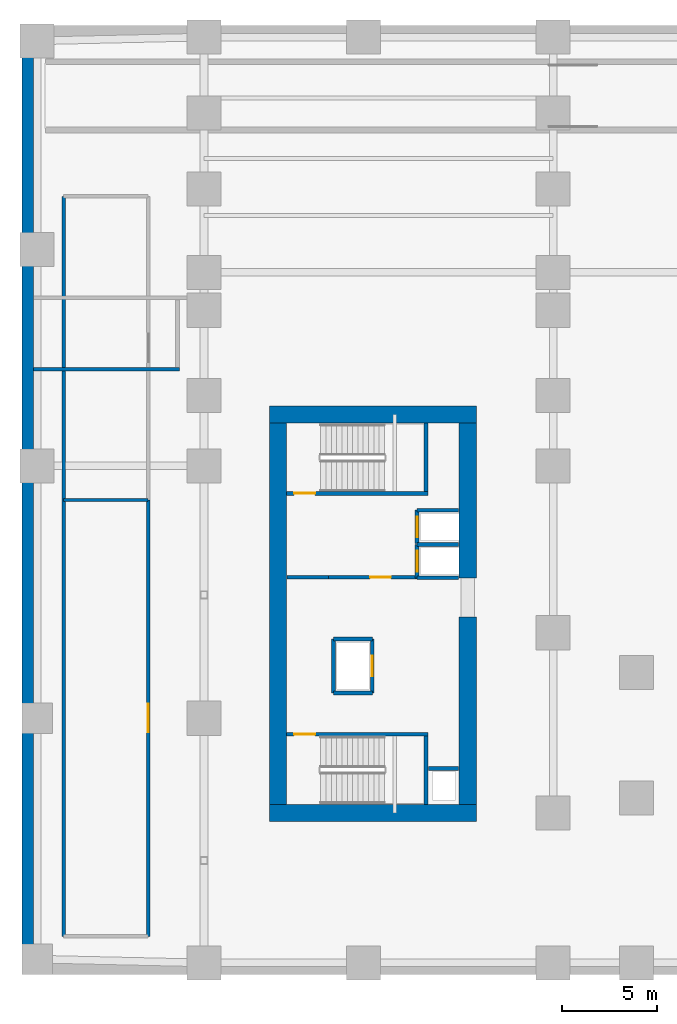
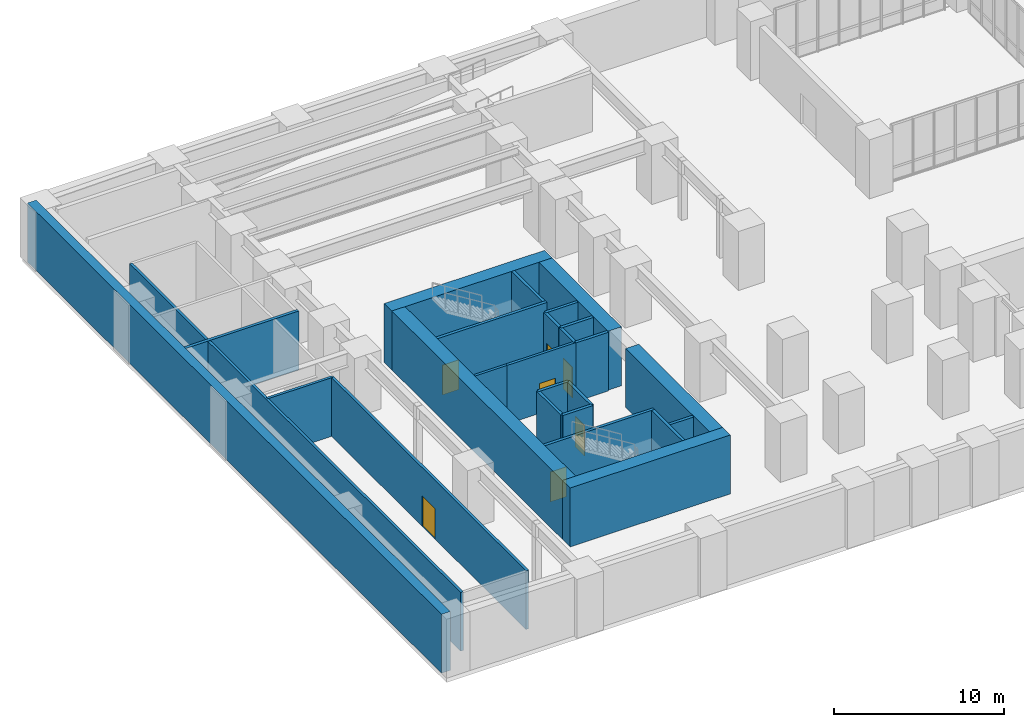
# One storey, part 13 of 18: 26 walls, 7 doors, 7 openings.
"""IFC4 building model written with IfcOpenShell, lengths in metres."""

from ifc_helpers import new_model, si_unit, direction, frame, frame_2d, origin, place, context, subcontext, project, spatial, rectangle, extrude, source, transform, mapped, material, layer, layer_set, type_object, element, fill, save


model = new_model("IFC4")

# Units and contexts
model_context = context("Model", 3, precision=1e-05, world=origin(), true_north=direction((0.0, 1.0)))
body_context = subcontext(model_context, "Body", "Model", "MODEL_VIEW")
ifc_project = project(units=[si_unit("LENGTHUNIT", "METRE"), si_unit("AREAUNIT", "SQUARE_METRE"), si_unit("VOLUMEUNIT", "CUBIC_METRE"), si_unit("PLANEANGLEUNIT", "RADIAN"), si_unit("MASSUNIT", "GRAM", prefix="KILO")], contexts=[model_context])

# Site, building, storey
site_placement = place(None, origin())
site = spatial("IfcSite", under=ifc_project, at=site_placement, CompositionType="ELEMENT")
building_placement = place(site_placement, origin())
building = spatial("IfcBuilding", under=site, at=building_placement, Name="Kharzan Plaza Tower", CompositionType="ELEMENT")
storey_placement = place(building_placement, frame((0.0, 0.0, -4.5)))
storey = spatial("IfcBuildingStorey", under=building, at=storey_placement, Name="B01", CompositionType="ELEMENT", Elevation=-4.5)

# Wall, opening, door
ifc_material_1 = material(Name="Concrete C40/50", Category="concrete")
ifc_layer_1 = layer(ifc_material_1, 0.179931640625)
ifc_layer_set_1 = layer_set([ifc_layer_1], Name="Concrete C40/50")
wall_type_1 = type_object("IfcWallType", Name="WL-INT-FIRE-180", PredefinedType="PARTITIONING", material=ifc_layer_set_1)
wall_1_placement = place(storey_placement, frame((-2.35009765625, 2.0, 0.0), z_axis=(0.0, 0.0, 1.0), x_axis=(0.0, 1.0, 0.0)))
wall_1 = element("IfcWall", 1, at=wall_1_placement, inside=storey, type_object=wall_type_1, Name="B01 Interior Partition B01-PW1", PredefinedType="PARTITIONING", context=body_context, shape_type="SweptSolid", body=[
    extrude(rectangle(XDim=23.0, YDim=0.179931640625, at=frame_2d((11.5, 0.0))), origin(), (0.0, 0.0, 1.0), 4.22509765625),
])
opening_1_placement = place(wall_1_placement, frame((10.75, 0.0, 0.0)))
opening_1 = element("IfcOpeningElement", 2, at=opening_1_placement, cuts=wall_1, Name="Opening PD1", PredefinedType="OPENING", context=body_context, shape_type="SweptSolid", body=[
    extrude(rectangle(XDim=1.5, YDim=2.199951171875, at=frame_2d((0.75, 1.10009765625))), frame((0.0, 0.099853515625, 0.0), z_axis=(0.0, -1.0, 0.0), x_axis=(1.0, 0.0, 0.0)), (0.0, 0.0, 1.0), 0.199951171875),
])
ifc_material_2 = material(Name="Galvanized Louvred Acoustic Steel", Category="steel")
door_type_1 = type_object("IfcDoorType", Name="DR-PLANT-DBL", OperationType="DOUBLE_DOOR_SINGLE_SWING", PredefinedType="DOOR", material=ifc_material_2)
shared_shape_1 = source(origin(), body_context, "Body", "SweptSolid", [
    extrude(rectangle(XDim=1.5, YDim=2.199951171875, at=frame_2d((0.75, 1.10009765625))), frame((0.0, 0.02490234375, 0.0), z_axis=(0.0, -1.0, 0.0), x_axis=(1.0, 0.0, 0.0)), (0.0, 0.0, 1.0), 0.050048828125),
])
door_1_placement = place(opening_1_placement, origin())
door_1 = element("IfcDoor", 3, at=door_1_placement, inside=storey, type_object=door_type_1, Name="B01 Loading Dock Corridor Door", OperationType="DOUBLE_DOOR_SINGLE_SWING", OverallHeight=2.199951171875, OverallWidth=1.5, PredefinedType="DOOR", context=body_context, shape_type="MappedRepresentation", body=[
    mapped(shared_shape_1, transform((0.0, 0.0, 0.0), x_axis=(1.0, 0.0, 0.0), y_axis=(0.0, 1.0, 0.0), z_axis=(0.0, 0.0, 1.0))),
])
fill(opening_1, door_1)

wall_2_placement = place(storey_placement, frame((7.14990234375, 20.919921875, 0.0), z_axis=(0.0, 0.0, 1.0), x_axis=(1.0, 0.0, 0.0)))
wall_2 = element("IfcWall", 4, at=wall_2_placement, inside=storey, type_object=wall_type_1, Name="B01 Interior Partition CA-FF-S", PredefinedType="PARTITIONING", context=body_context, shape_type="SweptSolid", body=[
    extrude(rectangle(XDim=4.68017578125, YDim=0.179931640625, at=frame_2d((2.340087890625, 0.0))), origin(), (0.0, 0.0, 1.0), 4.22509765625),
])
opening_2_placement = place(wall_2_placement, frame((2.199951171875, 0.0, 0.0)))
opening_2 = element("IfcOpeningElement", 5, at=opening_2_placement, cuts=wall_2, Name="Opening FD1", PredefinedType="OPENING", context=body_context, shape_type="SweptSolid", body=[
    extrude(rectangle(XDim=1.10009765625, YDim=2.14990234375, at=frame_2d((0.550048828125, 1.074951171875))), frame((0.0, 0.099853515625, 0.0), z_axis=(0.0, -1.0, 0.0), x_axis=(1.0, 0.0, 0.0)), (0.0, 0.0, 1.0), 0.199951171875),
])
ifc_material_3 = material(Name="Fire-Rated Acoustic Vision-Panel Steel", Category="steel")
door_type_2 = type_object("IfcDoorType", Name="DR-FIRE-LOBBY", OperationType="NOTDEFINED", PredefinedType="DOOR", material=ifc_material_3)
shared_shape_2 = source(origin(), body_context, "Body", "SweptSolid", [
    extrude(rectangle(XDim=1.10009765625, YDim=2.14990234375, at=frame_2d((0.550048828125, 1.074951171875))), frame((0.0, 0.02490234375, 0.0), z_axis=(0.0, -1.0, 0.0), x_axis=(1.0, 0.0, 0.0)), (0.0, 0.0, 1.0), 0.050048828125),
])
door_2_placement = place(opening_2_placement, origin())
door_2 = element("IfcDoor", 6, at=door_2_placement, inside=storey, type_object=door_type_2, Name="B01 Firefighting Lobby Door", OperationType="SINGLE_SWING_LEFT", OverallHeight=2.14990234375, OverallWidth=1.10009765625, PredefinedType="DOOR", context=body_context, shape_type="MappedRepresentation", body=[
    mapped(shared_shape_2, transform((0.0, 0.0, 0.0), x_axis=(1.0, 0.0, 0.0), y_axis=(0.0, 1.0, 0.0), z_axis=(0.0, 0.0, 1.0))),
])
fill(opening_2, door_2)

ifc_layer_2 = layer(ifc_material_1, 0.199951171875)
ifc_layer_set_2 = layer_set([ifc_layer_2], Name="Concrete C40/50")
wall_type_2 = type_object("IfcWallType", Name="WL-INT-SHAFT-200", PredefinedType="PARTITIONING", material=ifc_layer_set_2)
wall_3_placement = place(storey_placement, frame((11.830078125, 20.89990234375, 0.0), z_axis=(0.0, 0.0, 1.0), x_axis=(0.0, 1.0, 0.0)))
wall_3 = element("IfcWall", 7, at=wall_3_placement, inside=storey, type_object=wall_type_2, Name="B01 Interior Partition SHF-FFL-1-W", PredefinedType="PARTITIONING", context=body_context, shape_type="SweptSolid", body=[
    extrude(rectangle(XDim=1.760009765625, YDim=0.199951171875, at=frame_2d((0.8798828125, 0.0))), origin(), (0.0, 0.0, 1.0), 4.22509765625),
])
opening_3_placement = place(wall_3_placement, frame((0.330078125, 0.0, 0.0)))
opening_3 = element("IfcOpeningElement", 8, at=opening_3_placement, cuts=wall_3, Name="Opening LD", PredefinedType="OPENING", context=body_context, shape_type="SweptSolid", body=[
    extrude(rectangle(XDim=1.10009765625, YDim=2.199951171875, at=frame_2d((0.550048828125, 1.10009765625))), frame((0.0, 0.10986328125, 0.0), z_axis=(0.0, -1.0, 0.0), x_axis=(1.0, 0.0, 0.0)), (0.0, 0.0, 1.0), 0.219970703125),
])
ifc_material_4 = material(Name="Brushed Stainless Steel", Category="steel")
door_type_3 = type_object("IfcDoorType", Name="DR-LIFT-SLIDE", OperationType="SLIDING_TO_LEFT", PredefinedType="DOOR", material=ifc_material_4)
shared_shape_3 = source(origin(), body_context, "Body", "SweptSolid", [
    extrude(rectangle(XDim=1.10009765625, YDim=2.199951171875, at=frame_2d((0.550048828125, 1.10009765625))), frame((0.0, 0.02490234375, 0.0), z_axis=(0.0, -1.0, 0.0), x_axis=(1.0, 0.0, 0.0)), (0.0, 0.0, 1.0), 0.050048828125),
])
door_3_placement = place(opening_3_placement, origin())
door_3 = element("IfcDoor", 9, at=door_3_placement, inside=storey, type_object=door_type_3, Name="B01 Firefighting Lift FFL-1 Sliding Landing Door", OperationType="SLIDING_TO_LEFT", OverallHeight=2.199951171875, OverallWidth=1.10009765625, PredefinedType="DOOR", context=body_context, shape_type="MappedRepresentation", body=[
    mapped(shared_shape_3, transform((0.0, 0.0, 0.0), x_axis=(1.0, 0.0, 0.0), y_axis=(0.0, 1.0, 0.0), z_axis=(0.0, 0.0, 1.0))),
])
fill(opening_3, door_3)

wall_4_placement = place(storey_placement, frame((11.830078125, 22.699951171875, 0.0), z_axis=(0.0, 0.0, 1.0), x_axis=(0.0, 1.0, 0.0)))
wall_4 = element("IfcWall", 10, at=wall_4_placement, inside=storey, type_object=wall_type_2, Name="B01 Interior Partition SHF-FFL-2-W", PredefinedType="PARTITIONING", context=body_context, shape_type="SweptSolid", body=[
    extrude(rectangle(XDim=1.760009765625, YDim=0.199951171875, at=frame_2d((0.8798828125, 0.0))), origin(), (0.0, 0.0, 1.0), 4.22509765625),
])
opening_4_placement = place(wall_4_placement, frame((0.330078125, 0.0, 0.0)))
opening_4 = element("IfcOpeningElement", 11, at=opening_4_placement, cuts=wall_4, Name="Opening LD", PredefinedType="OPENING", context=body_context, shape_type="SweptSolid", body=[
    extrude(rectangle(XDim=1.10009765625, YDim=2.199951171875, at=frame_2d((0.550048828125, 1.10009765625))), frame((0.0, 0.10986328125, 0.0), z_axis=(0.0, -1.0, 0.0), x_axis=(1.0, 0.0, 0.0)), (0.0, 0.0, 1.0), 0.219970703125),
])
door_4_placement = place(opening_4_placement, origin())
door_4 = element("IfcDoor", 12, at=door_4_placement, inside=storey, type_object=door_type_3, Name="B01 Firefighting Lift FFL-2 Sliding Landing Door", OperationType="SLIDING_TO_LEFT", OverallHeight=2.199951171875, OverallWidth=1.10009765625, PredefinedType="DOOR", context=body_context, shape_type="MappedRepresentation", body=[
    mapped(shared_shape_3, transform((0.0, 0.0, 0.0), x_axis=(1.0, 0.0, 0.0), y_axis=(0.0, 1.0, 0.0), z_axis=(0.0, 0.0, 1.0))),
])
fill(opening_4, door_4)

wall_5_placement = place(storey_placement, frame((9.469970703125, 14.830078125, 0.0), z_axis=(0.0, 0.0, 1.0), x_axis=(0.0, 1.0, 0.0)))
wall_5 = element("IfcWall", 13, at=wall_5_placement, inside=storey, type_object=wall_type_2, Name="B01 Interior Partition SHF-SVL-1-E", PredefinedType="PARTITIONING", context=body_context, shape_type="SweptSolid", body=[
    extrude(rectangle(XDim=2.83984375, YDim=0.199951171875, at=frame_2d((1.419921875, 0.0))), origin(), (0.0, 0.0, 1.0), 4.22509765625),
])
opening_5_placement = place(wall_5_placement, frame((0.8701171875, 0.0, 0.0)))
opening_5 = element("IfcOpeningElement", 14, at=opening_5_placement, cuts=wall_5, Name="Opening LD", PredefinedType="OPENING", context=body_context, shape_type="SweptSolid", body=[
    extrude(rectangle(XDim=1.10009765625, YDim=2.199951171875, at=frame_2d((0.550048828125, 1.10009765625))), frame((0.0, 0.10986328125, 0.0), z_axis=(0.0, -1.0, 0.0), x_axis=(1.0, 0.0, 0.0)), (0.0, 0.0, 1.0), 0.219970703125),
])
door_5_placement = place(opening_5_placement, origin())
door_5 = element("IfcDoor", 15, at=door_5_placement, inside=storey, type_object=door_type_3, Name="B01 Service Lift SVL-1 Sliding Landing Door", OperationType="SLIDING_TO_LEFT", OverallHeight=2.199951171875, OverallWidth=1.10009765625, PredefinedType="DOOR", context=body_context, shape_type="MappedRepresentation", body=[
    mapped(shared_shape_3, transform((0.0, 0.0, 0.0), x_axis=(1.0, 0.0, 0.0), y_axis=(0.0, 1.0, 0.0), z_axis=(0.0, 0.0, 1.0))),
])
fill(opening_5, door_5)

ifc_material_5 = material(Name="Concrete C50/60", Category="concrete")
ifc_layer_3 = layer(ifc_material_5, 0.199951171875)
ifc_layer_set_3 = layer_set([ifc_layer_3], Name="Concrete C50/60")
wall_type_3 = type_object("IfcWallType", Name="WL-SHAFT-RC200", PredefinedType="SHEAR", material=ifc_layer_set_3)
wall_6_placement = place(storey_placement, frame((4.951904296875, 12.655029296875, 0.0), z_axis=(0.0, 0.0, 1.0), x_axis=(1.0, 0.0, 0.0)))
wall_6 = element("IfcWall", 16, at=wall_6_placement, inside=storey, type_object=wall_type_3, Name="B01 Stair ST-1 North RC Shaft Wall", PredefinedType="SHEAR", context=body_context, shape_type="SweptSolid", body=[
    extrude(rectangle(XDim=7.453125, YDim=0.199951171875, at=frame_2d((3.7265625, 0.0))), origin(), (0.0, 0.0, 1.0), 4.239990234375),
])
opening_6_placement = place(wall_6_placement, frame((0.39990234375, 0.0, 0.0)))
opening_6 = element("IfcOpeningElement", 17, at=opening_6_placement, cuts=wall_6, Name="Opening SD1", PredefinedType="OPENING", context=body_context, shape_type="SweptSolid", body=[
    extrude(rectangle(XDim=1.10009765625, YDim=2.14990234375, at=frame_2d((0.550048828125, 1.074951171875))), frame((0.0, 0.10986328125, 0.0), z_axis=(0.0, -1.0, 0.0), x_axis=(1.0, 0.0, 0.0)), (0.0, 0.0, 1.0), 0.219970703125),
])
ifc_material_6 = material(Name="Fire-Rated Hollow Galvanized Steel", Category="steel")
door_type_4 = type_object("IfcDoorType", Name="DR-STAIR-FD120", OperationType="NOTDEFINED", PredefinedType="DOOR", material=ifc_material_6)
shared_shape_4 = source(origin(), body_context, "Body", "SweptSolid", [
    extrude(rectangle(XDim=1.10009765625, YDim=2.14990234375, at=frame_2d((0.550048828125, 1.074951171875))), frame((0.0, 0.02490234375, 0.0), z_axis=(0.0, -1.0, 0.0), x_axis=(1.0, 0.0, 0.0)), (0.0, 0.0, 1.0), 0.050048828125),
])
door_6_placement = place(opening_6_placement, origin())
door_6 = element("IfcDoor", 18, at=door_6_placement, inside=storey, type_object=door_type_4, Name="B01 Stair ST-1 Fire Exit Door", OperationType="SINGLE_SWING_LEFT", OverallHeight=2.14990234375, OverallWidth=1.10009765625, PredefinedType="DOOR", context=body_context, shape_type="MappedRepresentation", body=[
    mapped(shared_shape_4, transform((0.0, 0.0, 0.0), x_axis=(1.0, 0.0, 0.0), y_axis=(0.0, 1.0, 0.0), z_axis=(0.0, 0.0, 1.0))),
])
fill(opening_6, door_6)

wall_7_placement = place(storey_placement, frame((4.951904296875, 25.344970703125, 0.0), z_axis=(0.0, 0.0, 1.0), x_axis=(1.0, 0.0, 0.0)))
wall_7 = element("IfcWall", 19, at=wall_7_placement, inside=storey, type_object=wall_type_3, Name="B01 Stair ST-2 South RC Shaft Wall", PredefinedType="SHEAR", context=body_context, shape_type="SweptSolid", body=[
    extrude(rectangle(XDim=7.453125, YDim=0.199951171875, at=frame_2d((3.7265625, 0.0))), origin(), (0.0, 0.0, 1.0), 4.239990234375),
])
opening_7_placement = place(wall_7_placement, frame((0.39990234375, 0.0, 0.0)))
opening_7 = element("IfcOpeningElement", 20, at=opening_7_placement, cuts=wall_7, Name="Opening SD1", PredefinedType="OPENING", context=body_context, shape_type="SweptSolid", body=[
    extrude(rectangle(XDim=1.10009765625, YDim=2.14990234375, at=frame_2d((0.550048828125, 1.074951171875))), frame((0.0, 0.10986328125, 0.0), z_axis=(0.0, -1.0, 0.0), x_axis=(1.0, 0.0, 0.0)), (0.0, 0.0, 1.0), 0.219970703125),
])
door_7_placement = place(opening_7_placement, origin())
door_7 = element("IfcDoor", 21, at=door_7_placement, inside=storey, type_object=door_type_4, Name="B01 Stair ST-2 Fire Exit Door", OperationType="SINGLE_SWING_RIGHT", OverallHeight=2.14990234375, OverallWidth=1.10009765625, PredefinedType="DOOR", context=body_context, shape_type="MappedRepresentation", body=[
    mapped(shared_shape_4, transform((0.0, 0.0, 0.0), x_axis=(1.0, 0.0, 0.0), y_axis=(0.0, 1.0, 0.0), z_axis=(0.0, 0.0, 1.0))),
])
fill(opening_7, door_7)

# Walls
ifc_material_7 = material(Name="Concrete C60/75", Category="concrete")
ifc_layer_4 = layer(ifc_material_7, 0.89990234375)
ifc_layer_set_4 = layer_set([ifc_layer_4], Name="Concrete C60/75")
wall_type_4 = type_object("IfcWallType", Name="WL-CORE-900", PredefinedType="SHEAR", material=ifc_layer_set_4)
shared_shape_5 = source(origin(), body_context, "Body", "SweptSolid", [
    extrude(rectangle(XDim=9.8701171875, YDim=0.89990234375, at=frame_2d((4.93505859375, 0.0))), origin(), (0.0, 0.0, 1.0), 4.239990234375),
])
wall_8_placement = place(storey_placement, frame((14.5, 8.949951171875, 0.0), z_axis=(0.0, 0.0, 1.0), x_axis=(0.0, 1.0, 0.0)))
element("IfcWall", 22, at=wall_8_placement, inside=storey, type_object=wall_type_4, Name="B01 CORE-A east shear pier 1", PredefinedType="SHEAR", context=body_context, shape_type="MappedRepresentation", body=[
    mapped(shared_shape_5, transform((0.0, 0.0, 0.0), x_axis=(1.0, 0.0, 0.0), y_axis=(0.0, 1.0, 0.0), z_axis=(0.0, 0.0, 1.0))),
])
shared_shape_6 = source(origin(), body_context, "Body", "SweptSolid", [
    extrude(rectangle(XDim=8.170166015625, YDim=0.89990234375, at=frame_2d((4.0849609375, 0.0))), origin(), (0.0, 0.0, 1.0), 4.239990234375),
])
wall_9_placement = place(storey_placement, frame((14.5, 20.8798828125, 0.0), z_axis=(0.0, 0.0, 1.0), x_axis=(0.0, 1.0, 0.0)))
element("IfcWall", 23, at=wall_9_placement, inside=storey, type_object=wall_type_4, Name="B01 CORE-A east shear pier 2", PredefinedType="SHEAR", context=body_context, shape_type="MappedRepresentation", body=[
    mapped(shared_shape_6, transform((0.0, 0.0, 0.0), x_axis=(1.0, 0.0, 0.0), y_axis=(0.0, 1.0, 0.0), z_axis=(0.0, 0.0, 1.0))),
])
shared_shape_7 = source(origin(), body_context, "Body", "SweptSolid", [
    extrude(rectangle(XDim=10.89990234375, YDim=0.89990234375, at=frame_2d((5.449951171875, 0.0))), origin(), (0.0, 0.0, 1.0), 4.239990234375),
])
for number, where, z_axis, x_axis, name in (
    (24, (4.050048828125, 29.5, 0.0), (0.0, 0.0, 1.0), (1.0, 0.0, 0.0), "B01 CORE-A north RC shear wall"),
    (25, (4.050048828125, 8.5, 0.0), (0.0, 0.0, 1.0), (1.0, 0.0, 0.0), "B01 CORE-A south RC shear wall"),
):
    element("IfcWall", number, at=place(storey_placement, frame(where, z_axis=z_axis, x_axis=x_axis)), inside=storey, type_object=wall_type_4, Name=name, PredefinedType="SHEAR", context=body_context, shape_type="MappedRepresentation", body=[
        mapped(shared_shape_7, transform((0.0, 0.0, 0.0), x_axis=(1.0, 0.0, 0.0), y_axis=(0.0, 1.0, 0.0), z_axis=(0.0, 0.0, 1.0))),
    ])
shared_shape_8 = source(origin(), body_context, "Body", "SweptSolid", [
    extrude(rectangle(XDim=20.10009765625, YDim=0.89990234375, at=frame_2d((10.050048828125, 0.0))), origin(), (0.0, 0.0, 1.0), 4.239990234375),
])
wall_10_placement = place(storey_placement, frame((4.5, 8.949951171875, 0.0), z_axis=(0.0, 0.0, 1.0), x_axis=(0.0, 1.0, 0.0)))
element("IfcWall", 26, at=wall_10_placement, inside=storey, type_object=wall_type_4, Name="B01 CORE-A west RC shear wall", PredefinedType="SHEAR", context=body_context, shape_type="MappedRepresentation", body=[
    mapped(shared_shape_8, transform((0.0, 0.0, 0.0), x_axis=(1.0, 0.0, 0.0), y_axis=(0.0, 1.0, 0.0), z_axis=(0.0, 0.0, 1.0))),
])
shared_shape_9 = source(origin(), body_context, "Body", "SweptSolid", [
    extrude(rectangle(XDim=4.449951171875, YDim=0.179931640625, at=frame_2d((2.22509765625, 0.0))), origin(), (0.0, 0.0, 1.0), 4.22509765625),
])
wall_11_placement = place(storey_placement, frame((-6.800048828125, 25.0, 0.0), z_axis=(0.0, 0.0, 1.0), x_axis=(1.0, 0.0, 0.0)))
element("IfcWall", 27, at=wall_11_placement, inside=storey, type_object=wall_type_1, Name="B01 Interior Partition B01-PM1", PredefinedType="PARTITIONING", context=body_context, shape_type="MappedRepresentation", body=[
    mapped(shared_shape_9, transform((0.0, 0.0, 0.0), x_axis=(1.0, 0.0, 0.0), y_axis=(0.0, 1.0, 0.0), z_axis=(0.0, 0.0, 1.0))),
])
shared_shape_10 = source(origin(), body_context, "Body", "SweptSolid", [
    extrude(rectangle(XDim=39.0, YDim=0.179931640625, at=frame_2d((19.5, 0.0))), origin(), (0.0, 0.0, 1.0), 4.22509765625),
])
wall_12_placement = place(storey_placement, frame((-6.800048828125, 2.0, 0.0), z_axis=(0.0, 0.0, 1.0), x_axis=(0.0, 1.0, 0.0)))
element("IfcWall", 28, at=wall_12_placement, inside=storey, type_object=wall_type_1, Name="B01 Interior Partition B01-WLN", PredefinedType="PARTITIONING", context=body_context, shape_type="MappedRepresentation", body=[
    mapped(shared_shape_10, transform((0.0, 0.0, 0.0), x_axis=(1.0, 0.0, 0.0), y_axis=(0.0, 1.0, 0.0), z_axis=(0.0, 0.0, 1.0))),
])
shared_shape_11 = source(origin(), body_context, "Body", "SweptSolid", [
    extrude(rectangle(XDim=2.169921875, YDim=0.179931640625, at=frame_2d((1.0849609375, 0.0))), origin(), (0.0, 0.0, 1.0), 4.22509765625),
])
wall_13_placement = place(storey_placement, frame((4.97998046875, 20.919921875, 0.0), z_axis=(0.0, 0.0, 1.0), x_axis=(1.0, 0.0, 0.0)))
element("IfcWall", 29, at=wall_13_placement, inside=storey, type_object=wall_type_1, Name="B01 Interior Partition CA-FF-SW", PredefinedType="PARTITIONING", context=body_context, shape_type="MappedRepresentation", body=[
    mapped(shared_shape_11, transform((0.0, 0.0, 0.0), x_axis=(1.0, 0.0, 0.0), y_axis=(0.0, 1.0, 0.0), z_axis=(0.0, 0.0, 1.0))),
])
shared_shape_12 = source(origin(), body_context, "Body", "SweptSolid", [
    extrude(rectangle(XDim=1.60009765625, YDim=0.199951171875, at=frame_2d((0.800048828125, 0.0))), origin(), (0.0, 0.0, 1.0), 4.22509765625),
])
wall_14_placement = place(storey_placement, frame((12.419921875, 10.85009765625, 0.0), z_axis=(0.0, 0.0, 1.0), x_axis=(1.0, 0.0, 0.0)))
element("IfcWall", 30, at=wall_14_placement, inside=storey, type_object=wall_type_2, Name="B01 Interior Partition CA-RSRA-N", PredefinedType="PARTITIONING", context=body_context, shape_type="MappedRepresentation", body=[
    mapped(shared_shape_12, transform((0.0, 0.0, 0.0), x_axis=(1.0, 0.0, 0.0), y_axis=(0.0, 1.0, 0.0), z_axis=(0.0, 0.0, 1.0))),
])
shared_shape_13 = source(origin(), body_context, "Body", "SweptSolid", [
    extrude(rectangle(XDim=2.18994140625, YDim=0.199951171875, at=frame_2d((1.094970703125, 0.0))), origin(), (0.0, 0.0, 1.0), 4.22509765625),
])
for number, where, z_axis, x_axis, name in (
    (31, (11.830078125, 22.659912109375, 0.0), (0.0, 0.0, 1.0), (1.0, 0.0, 0.0), "B01 Interior Partition SHF-FFL-1-N"),
    (32, (11.830078125, 20.89990234375, 0.0), (0.0, 0.0, 1.0), (1.0, 0.0, 0.0), "B01 Interior Partition SHF-FFL-1-S"),
    (33, (11.830078125, 24.4599609375, 0.0), (0.0, 0.0, 1.0), (1.0, 0.0, 0.0), "B01 Interior Partition SHF-FFL-2-N"),
):
    element("IfcWall", number, at=place(storey_placement, frame(where, z_axis=z_axis, x_axis=x_axis)), inside=storey, type_object=wall_type_2, Name=name, PredefinedType="PARTITIONING", context=body_context, shape_type="MappedRepresentation", body=[
        mapped(shared_shape_13, transform((0.0, 0.0, 0.0), x_axis=(1.0, 0.0, 0.0), y_axis=(0.0, 1.0, 0.0), z_axis=(0.0, 0.0, 1.0))),
    ])
shared_shape_14 = source(origin(), body_context, "Body", "SweptSolid", [
    extrude(rectangle(XDim=2.0400390625, YDim=0.199951171875, at=frame_2d((1.02001953125, 0.0))), origin(), (0.0, 0.0, 1.0), 4.22509765625),
])
for number, where, z_axis, x_axis, name in (
    (34, (7.429931640625, 17.669921875, 0.0), (0.0, 0.0, 1.0), (1.0, 0.0, 0.0), "B01 Interior Partition SHF-SVL-1-N"),
    (35, (7.429931640625, 14.830078125, 0.0), (0.0, 0.0, 1.0), (1.0, 0.0, 0.0), "B01 Interior Partition SHF-SVL-1-S"),
):
    element("IfcWall", number, at=place(storey_placement, frame(where, z_axis=z_axis, x_axis=x_axis)), inside=storey, type_object=wall_type_2, Name=name, PredefinedType="PARTITIONING", context=body_context, shape_type="MappedRepresentation", body=[
        mapped(shared_shape_14, transform((0.0, 0.0, 0.0), x_axis=(1.0, 0.0, 0.0), y_axis=(0.0, 1.0, 0.0), z_axis=(0.0, 0.0, 1.0))),
    ])
shared_shape_15 = source(origin(), body_context, "Body", "SweptSolid", [
    extrude(rectangle(XDim=2.83984375, YDim=0.199951171875, at=frame_2d((1.419921875, 0.0))), origin(), (0.0, 0.0, 1.0), 4.22509765625),
])
wall_15_placement = place(storey_placement, frame((7.429931640625, 14.830078125, 0.0), z_axis=(0.0, 0.0, 1.0), x_axis=(0.0, 1.0, 0.0)))
element("IfcWall", 36, at=wall_15_placement, inside=storey, type_object=wall_type_2, Name="B01 Interior Partition SHF-SVL-1-W", PredefinedType="PARTITIONING", context=body_context, shape_type="MappedRepresentation", body=[
    mapped(shared_shape_15, transform((0.0, 0.0, 0.0), x_axis=(1.0, 0.0, 0.0), y_axis=(0.0, 1.0, 0.0), z_axis=(0.0, 0.0, 1.0))),
])
ifc_layer_5 = layer(ifc_material_5, 0.60009765625)
ifc_layer_set_5 = layer_set([ifc_layer_5], Name="Concrete C50/60")
wall_type_5 = type_object("IfcWallType", Name="WL-RETAIN-600", PredefinedType="USERDEFINED", material=ifc_layer_set_5)
shared_shape_16 = source(origin(), body_context, "Body", "SweptSolid", [
    extrude(rectangle(XDim=48.7998046875, YDim=0.60009765625, at=frame_2d((24.39990234375, 0.0))), origin(), (0.0, 0.0, 1.0), 4.239990234375),
])
wall_16_placement = place(storey_placement, frame((-8.699951171875, 0.60009765625, 0.0), z_axis=(0.0, 0.0, 1.0), x_axis=(0.0, 1.0, 0.0)))
element("IfcWall", 37, at=wall_16_placement, inside=storey, type_object=wall_type_5, Name="B01 West Basement Retaining Wall 600 mm", ObjectType="RETAININGWALL", PredefinedType="USERDEFINED", context=body_context, shape_type="MappedRepresentation", body=[
    mapped(shared_shape_16, transform((0.0, 0.0, 0.0), x_axis=(1.0, 0.0, 0.0), y_axis=(0.0, 1.0, 0.0), z_axis=(0.0, 0.0, 1.0))),
])
shared_shape_17 = source(origin(), body_context, "Body", "SweptSolid", [
    extrude(rectangle(XDim=3.60302734375, YDim=0.199951171875, at=frame_2d((1.801513671875, 0.0))), origin(), (0.0, 0.0, 1.0), 4.239990234375),
])
for number, where, z_axis, x_axis, name in (
    (38, (12.304931640625, 8.951904296875, 0.0), (0.0, 0.0, 1.0), (0.0, 1.0, 0.0), "B01 Stair ST-1 East RC Shaft Wall"),
    (39, (12.304931640625, 25.445068359375, 0.0), (0.0, 0.0, 1.0), (0.0, 1.0, 0.0), "B01 Stair ST-2 East RC Shaft Wall"),
):
    element("IfcWall", number, at=place(storey_placement, frame(where, z_axis=z_axis, x_axis=x_axis)), inside=storey, type_object=wall_type_3, Name=name, PredefinedType="SHEAR", context=body_context, shape_type="MappedRepresentation", body=[
        mapped(shared_shape_17, transform((0.0, 0.0, 0.0), x_axis=(1.0, 0.0, 0.0), y_axis=(0.0, 1.0, 0.0), z_axis=(0.0, 0.0, 1.0))),
    ])
shared_shape_18 = source(origin(), body_context, "Body", "SweptSolid", [
    extrude(rectangle(XDim=7.704833984375, YDim=0.199951171875, at=frame_2d((3.8525390625, 0.0))), origin(), (0.0, 0.0, 1.0), 4.239990234375),
])
wall_17_placement = place(storey_placement, frame((-8.39990234375, 31.89501953125, 0.0), z_axis=(0.0, 0.0, 1.0), x_axis=(1.0, 0.0, 0.0)))
element("IfcWall", 40, at=wall_17_placement, inside=storey, type_object=wall_type_3, Name="B01 Stair ST-4 South RC Shaft Wall", PredefinedType="SHEAR", context=body_context, shape_type="MappedRepresentation", body=[
    mapped(shared_shape_18, transform((0.0, 0.0, 0.0), x_axis=(1.0, 0.0, 0.0), y_axis=(0.0, 1.0, 0.0), z_axis=(0.0, 0.0, 1.0))),
])

save(model, "model.ifc")
